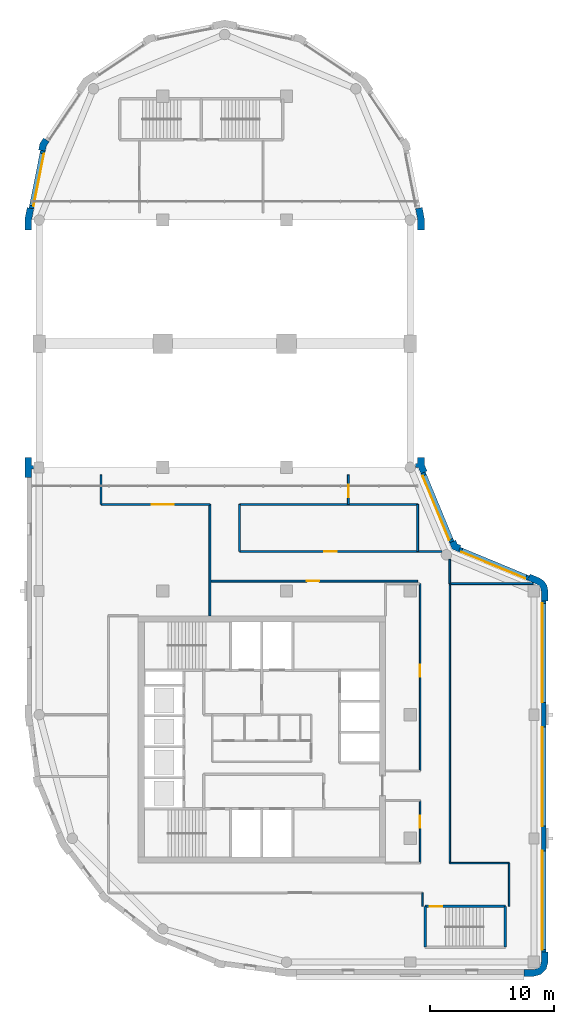
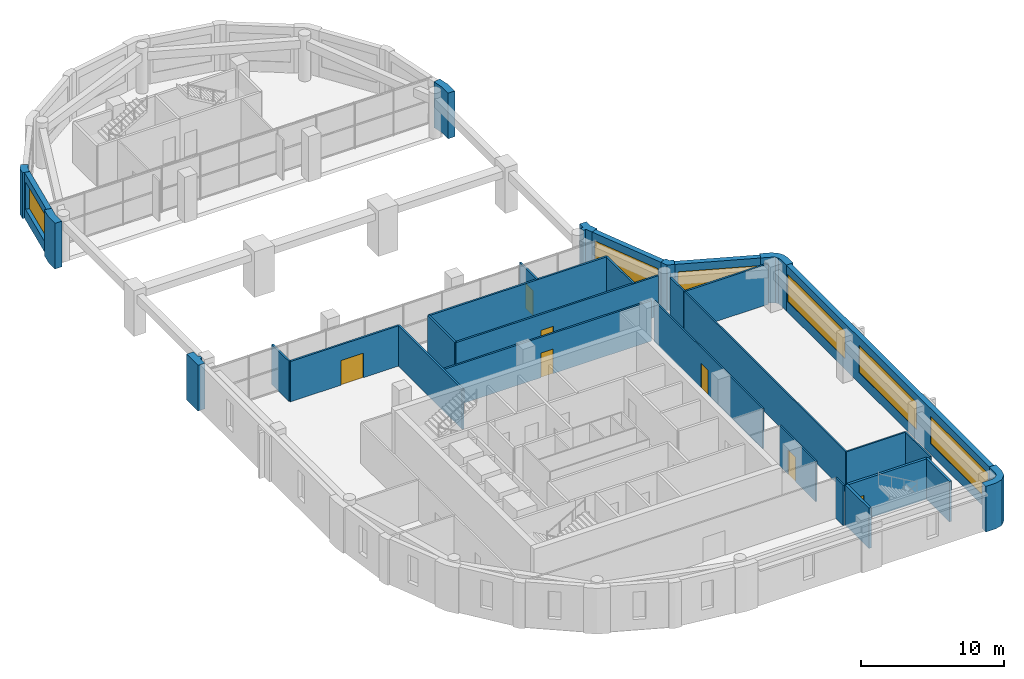
# One storey, part 7 of 11: 32 walls, 7 doors, 6 windows, 13 openings.
"""IFC4 building model written with IfcOpenShell, lengths in metres."""

from ifc_helpers import new_model, si_unit, direction, frame, frame_2d, origin, place, context, subcontext, project, spatial, polyline, rectangle, outline, extrude, material, layer, layer_set, type_object, element, fill, save


model = new_model("IFC4")

# Units and contexts
model_context = context("Model", 3, precision=1e-05, world=origin(), true_north=direction((0.0, 1.0)))
body_context = subcontext(model_context, "Body", "Model", "MODEL_VIEW")
ifc_project = project(units=[si_unit("LENGTHUNIT", "METRE"), si_unit("AREAUNIT", "SQUARE_METRE"), si_unit("VOLUMEUNIT", "CUBIC_METRE"), si_unit("PLANEANGLEUNIT", "RADIAN"), si_unit("MASSUNIT", "GRAM", prefix="KILO")], contexts=[model_context])

# Site, building, storey
site_placement = place(None, origin())
site = spatial("IfcSite", under=ifc_project, at=site_placement, CompositionType="ELEMENT")
building_placement = place(site_placement, origin())
building = spatial("IfcBuilding", under=site, at=building_placement, Name="Qaws Garden Tower", CompositionType="ELEMENT")
storey_placement = place(building_placement, frame((0.0, 0.0, 329.39990234375)))
storey = spatial("IfcBuildingStorey", under=building, at=storey_placement, Name="L80", CompositionType="ELEMENT", Elevation=329.39990234375)

# Walls
ifc_material_1 = material(Name="Clay facing brick masonry", Category="masonry")
ifc_layer_1 = layer(ifc_material_1, 0.550048828125)
ifc_layer_set_1 = layer_set([ifc_layer_1], Name="Clay facing brick masonry")
wall_type_1 = type_object("IfcWallType", Name="Brick corner pier 550 x 2400", PredefinedType="SOLIDWALL", material=ifc_layer_set_1)
placement = place(storey_placement, origin())
element("IfcWall", 1, at=placement, inside=storey, type_object=wall_type_1, Name="E-L80-pier-02", PredefinedType="SOLIDWALL", context=body_context, shape_type="SweptSolid", body=[
    extrude(outline(polyline([(39.199951171875, -1.0), (39.199951171875, -1.14990234375), (40.0, -1.14990234375), (40.574951171875, -0.995849609375), (40.995849609375, -0.574951171875), (41.14990234375, 0.0), (41.14990234375, 0.800048828125), (41.0, 0.800048828125), (40.60009765625, 0.800048828125), (40.60009765625, 0.0), (40.51953125, -0.300048828125), (40.300048828125, -0.51953125), (40.0, -0.60009765625), (39.199951171875, -0.60009765625), (39.199951171875, -1.0)])), origin(), (0.0, 0.0, 1.0), 3.900146484375),
])
element("IfcWall", 2, at=placement, inside=storey, type_object=wall_type_1, Name="E-L80-pier-05", PredefinedType="SOLIDWALL", context=body_context, shape_type="SweptSolid", body=[
    extrude(outline(polyline([(41.0, 29.199951171875), (41.14990234375, 29.199951171875), (41.14990234375, 30.0), (41.0625, 30.440185546875), (40.813232421875, 30.813232421875), (40.440185546875, 31.0625), (39.700927734375, 31.36865234375), (39.6435546875, 31.22998046875), (39.490478515625, 30.860595703125), (40.2294921875, 30.554443359375), (40.42431640625, 30.42431640625), (40.554443359375, 30.2294921875), (40.60009765625, 30.0), (40.60009765625, 29.199951171875), (41.0, 29.199951171875)])), origin(), (0.0, 0.0, 1.0), 3.900146484375),
])

# Wall, openings, windows
ifc_material_2 = material(Name="Clay facing brick masonry", Category="masonry")
ifc_layer_2 = layer(ifc_material_2, 0.39990234375)
ifc_layer_set_2 = layer_set([ifc_layer_2], Name="Clay facing brick masonry")
wall_type_2 = type_object("IfcWallType", Name="Brick infill wall 400", PredefinedType="SOLIDWALL", material=ifc_layer_set_2)
wall_3_placement = place(storey_placement, frame((40.800048828125, 0.800048828125, 0.0), z_axis=(0.0, 0.0, 1.0), x_axis=(0.0, 1.0, 0.0)))
wall_3 = element("IfcWall", 3, at=wall_3_placement, inside=storey, type_object=wall_type_2, Name="E-L80-infill-02", PredefinedType="SOLIDWALL", context=body_context, shape_type="SweptSolid", body=[
    extrude(rectangle(XDim=28.39990234375, YDim=0.39990234375, at=frame_2d((14.199951171875, 0.0))), origin(), (0.0, 0.0, 1.0), 3.900146484375),
])
opening_1_placement = place(wall_3_placement, frame((0.199951171875, 0.0, 0.89990234375)))
opening_1 = element("IfcOpeningElement", 4, at=opening_1_placement, cuts=wall_3, Name="Opening W01", PredefinedType="OPENING", context=body_context, shape_type="SweptSolid", body=[
    extrude(rectangle(XDim=8.0, YDim=2.35009765625, at=frame_2d((4.0, 1.175048828125))), frame((0.0, 0.2099609375, 0.0), z_axis=(0.0, -1.0, 0.0), x_axis=(1.0, 0.0, 0.0)), (0.0, 0.0, 1.0), 0.419921875),
])
opening_2_placement = place(wall_3_placement, frame((10.199951171875, 0.0, 0.89990234375)))
opening_2 = element("IfcOpeningElement", 5, at=opening_2_placement, cuts=wall_3, Name="Opening W01", PredefinedType="OPENING", context=body_context, shape_type="SweptSolid", body=[
    extrude(rectangle(XDim=8.0, YDim=2.35009765625, at=frame_2d((4.0, 1.175048828125))), frame((0.0, 0.2099609375, 0.0), z_axis=(0.0, -1.0, 0.0), x_axis=(1.0, 0.0, 0.0)), (0.0, 0.0, 1.0), 0.419921875),
])
opening_3_placement = place(wall_3_placement, frame((20.199951171875, 0.0, 0.89990234375)))
opening_3 = element("IfcOpeningElement", 6, at=opening_3_placement, cuts=wall_3, Name="Opening W01", PredefinedType="OPENING", context=body_context, shape_type="SweptSolid", body=[
    extrude(rectangle(XDim=8.0, YDim=2.35009765625, at=frame_2d((4.0, 1.175048828125))), frame((0.0, 0.2099609375, 0.0), z_axis=(0.0, -1.0, 0.0), x_axis=(1.0, 0.0, 0.0)), (0.0, 0.0, 1.0), 0.419921875),
])
ifc_material_3 = material(Name="Aluminium framed window, clear glazing", Category="aluminium")
window_type_1 = type_object("IfcWindowType", Name="Ribbon window 8000 x 2350", PartitioningType="DOUBLE_PANEL_VERTICAL", PredefinedType="WINDOW", material=ifc_material_3)
window_1_placement = place(opening_1_placement, origin())
window_1 = element("IfcWindow", 7, at=window_1_placement, inside=storey, type_object=window_type_1, Name="E-L80-window-02-0", OverallHeight=2.35009765625, OverallWidth=8.0, PartitioningType="SINGLE_PANEL", PredefinedType="WINDOW", context=body_context, shape_type="SweptSolid", body=[
    extrude(rectangle(XDim=8.0, YDim=2.35009765625, at=frame_2d((4.0, 1.175048828125))), frame((0.0, 0.159912109375, 0.0), z_axis=(0.0, -1.0, 0.0), x_axis=(1.0, 0.0, 0.0)), (0.0, 0.0, 1.0), 0.06005859375),
])
fill(opening_1, window_1)
window_2_placement = place(opening_2_placement, origin())
window_2 = element("IfcWindow", 8, at=window_2_placement, inside=storey, type_object=window_type_1, Name="E-L80-window-03-0", OverallHeight=2.35009765625, OverallWidth=8.0, PartitioningType="SINGLE_PANEL", PredefinedType="WINDOW", context=body_context, shape_type="SweptSolid", body=[
    extrude(rectangle(XDim=8.0, YDim=2.35009765625, at=frame_2d((4.0, 1.175048828125))), frame((0.0, 0.159912109375, 0.0), z_axis=(0.0, -1.0, 0.0), x_axis=(1.0, 0.0, 0.0)), (0.0, 0.0, 1.0), 0.06005859375),
])
fill(opening_2, window_2)
window_3_placement = place(opening_3_placement, origin())
window_3 = element("IfcWindow", 9, at=window_3_placement, inside=storey, type_object=window_type_1, Name="E-L80-window-04-0", OverallHeight=2.35009765625, OverallWidth=8.0, PartitioningType="SINGLE_PANEL", PredefinedType="WINDOW", context=body_context, shape_type="SweptSolid", body=[
    extrude(rectangle(XDim=8.0, YDim=2.35009765625, at=frame_2d((4.0, 1.175048828125))), frame((0.0, 0.159912109375, 0.0), z_axis=(0.0, -1.0, 0.0), x_axis=(1.0, 0.0, 0.0)), (0.0, 0.0, 1.0), 0.06005859375),
])
fill(opening_3, window_3)

# Wall, opening, window
wall_4_placement = place(storey_placement, frame((39.56689453125, 31.04541015625, 0.0), z_axis=(0.0, 0.0, 1.0), x_axis=(-0.923891000409, 0.382655745237, 0.0)))
wall_4 = element("IfcWall", 10, at=wall_4_placement, inside=storey, type_object=wall_type_2, Name="E-L80-infill-05", PredefinedType="SOLIDWALL", context=body_context, shape_type="SweptSolid", body=[
    extrude(rectangle(XDim=6.053466796875, YDim=0.39990234375, at=frame_2d((3.02685546875, 0.0))), origin(), (0.0, 0.0, 1.0), 3.900146484375),
])
opening_4_placement = place(wall_4_placement, frame((0.226806640625, 0.0, 0.89990234375)))
opening_4 = element("IfcOpeningElement", 11, at=opening_4_placement, cuts=wall_4, Name="Opening W04", PredefinedType="OPENING", context=body_context, shape_type="SweptSolid", body=[
    extrude(rectangle(XDim=5.60009765625, YDim=2.35009765625, at=frame_2d((2.800048828125, 1.175048828125))), frame((0.0, 0.2099609375, 0.0), z_axis=(0.0, -1.0, 0.0), x_axis=(1.0, 0.0, 0.0)), (0.0, 0.0, 1.0), 0.419921875),
])
ifc_material_4 = material(Name="Aluminium framed window, clear glazing", Category="aluminium")
window_type_2 = type_object("IfcWindowType", Name="Ribbon window 5600 x 2350", PartitioningType="DOUBLE_PANEL_VERTICAL", PredefinedType="WINDOW", material=ifc_material_4)
window_4_placement = place(opening_4_placement, origin())
window_4 = element("IfcWindow", 12, at=window_4_placement, inside=storey, type_object=window_type_2, Name="E-L80-window-05-0", OverallHeight=2.35009765625, OverallWidth=5.60009765625, PartitioningType="SINGLE_PANEL", PredefinedType="WINDOW", context=body_context, shape_type="SweptSolid", body=[
    extrude(rectangle(XDim=5.60009765625, YDim=2.35009765625, at=frame_2d((2.800048828125, 1.175048828125))), frame((0.0, 0.159912109375, 0.0), z_axis=(0.0, -1.0, 0.0), x_axis=(1.0, 0.0, 0.0)), (0.0, 0.0, 1.0), 0.06005859375),
])
fill(opening_4, window_4)

wall_5_placement = place(storey_placement, frame((33.36181640625, 33.97412109375, 0.0), z_axis=(0.0, 0.0, 1.0), x_axis=(-0.382655745237, 0.923891000409, 0.0)))
wall_5 = element("IfcWall", 13, at=wall_5_placement, inside=storey, type_object=wall_type_2, Name="E-L80-infill-06", PredefinedType="SOLIDWALL", context=body_context, shape_type="SweptSolid", body=[
    extrude(rectangle(XDim=6.053466796875, YDim=0.39990234375, at=frame_2d((3.02685546875, 0.0))), origin(), (0.0, 0.0, 1.0), 3.900146484375),
])
opening_5_placement = place(wall_5_placement, frame((0.226806640625, 0.0, 0.89990234375)))
opening_5 = element("IfcOpeningElement", 14, at=opening_5_placement, cuts=wall_5, Name="Opening W04", PredefinedType="OPENING", context=body_context, shape_type="SweptSolid", body=[
    extrude(rectangle(XDim=5.60009765625, YDim=2.35009765625, at=frame_2d((2.800048828125, 1.175048828125))), frame((0.0, 0.2099609375, 0.0), z_axis=(0.0, -1.0, 0.0), x_axis=(1.0, 0.0, 0.0)), (0.0, 0.0, 1.0), 0.419921875),
])
window_5_placement = place(opening_5_placement, origin())
window_5 = element("IfcWindow", 15, at=window_5_placement, inside=storey, type_object=window_type_2, Name="E-L80-window-06-0", OverallHeight=2.35009765625, OverallWidth=5.60009765625, PartitioningType="SINGLE_PANEL", PredefinedType="WINDOW", context=body_context, shape_type="SweptSolid", body=[
    extrude(rectangle(XDim=5.60009765625, YDim=2.35009765625, at=frame_2d((2.800048828125, 1.175048828125))), frame((0.0, 0.159912109375, 0.0), z_axis=(0.0, -1.0, 0.0), x_axis=(1.0, 0.0, 0.0)), (0.0, 0.0, 1.0), 0.06005859375),
])
fill(opening_5, window_5)

wall_6_placement = place(storey_placement, frame((0.298583984375, 65.60205078125, 0.0), z_axis=(0.0, 0.0, 1.0), x_axis=(-0.195098533057, -0.98078364709, 0.0)))
wall_6 = element("IfcWall", 16, at=wall_6_placement, inside=storey, type_object=wall_type_2, Name="E-L80-infill-16", PredefinedType="SOLIDWALL", context=body_context, shape_type="SweptSolid", body=[
    extrude(rectangle(XDim=4.752685546875, YDim=0.39990234375, at=frame_2d((2.37646484375, 0.0))), origin(), (0.0, 0.0, 1.0), 3.900146484375),
])
opening_6_placement = place(wall_6_placement, frame((0.226318359375, 0.0, 0.89990234375)))
opening_6 = element("IfcOpeningElement", 17, at=opening_6_placement, cuts=wall_6, Name="Opening W06", PredefinedType="OPENING", context=body_context, shape_type="SweptSolid", body=[
    extrude(rectangle(XDim=4.300048828125, YDim=2.35009765625, at=frame_2d((2.14990234375, 1.175048828125))), frame((0.0, 0.2099609375, 0.0), z_axis=(0.0, -1.0, 0.0), x_axis=(1.0, 0.0, 0.0)), (0.0, 0.0, 1.0), 0.419921875),
])
ifc_material_5 = material(Name="Aluminium framed window, clear glazing", Category="aluminium")
window_type_3 = type_object("IfcWindowType", Name="Ribbon window 4300 x 2350", PartitioningType="DOUBLE_PANEL_VERTICAL", PredefinedType="WINDOW", material=ifc_material_5)
window_6_placement = place(opening_6_placement, origin())
window_6 = element("IfcWindow", 18, at=window_6_placement, inside=storey, type_object=window_type_3, Name="E-L80-window-16-0", OverallHeight=2.35009765625, OverallWidth=4.300048828125, PartitioningType="SINGLE_PANEL", PredefinedType="WINDOW", context=body_context, shape_type="SweptSolid", body=[
    extrude(rectangle(XDim=4.300048828125, YDim=2.35009765625, at=frame_2d((2.14990234375, 1.175048828125))), frame((0.0, 0.159912109375, 0.0), z_axis=(0.0, -1.0, 0.0), x_axis=(1.0, 0.0, 0.0)), (0.0, 0.0, 1.0), 0.06005859375),
])
fill(opening_6, window_6)

# Walls
ifc_material_6 = material(Name="Clay facing brick masonry", Category="masonry")
ifc_layer_3 = layer(ifc_material_6, 0.550048828125)
ifc_layer_set_3 = layer_set([ifc_layer_3], Name="Clay facing brick masonry")
wall_type_3 = type_object("IfcWallType", Name="Brick kink pier 550 x 600", PredefinedType="SOLIDWALL", material=ifc_layer_set_3)
element("IfcWall", 19, at=placement, inside=storey, type_object=wall_type_3, Name="E-L80-pier-16", PredefinedType="SOLIDWALL", context=body_context, shape_type="SweptSolid", body=[
    extrude(outline(polyline([(0.47705078125, 66.545166015625), (0.352294921875, 66.628662109375), (0.05859375, 66.18896484375), (-0.044677734375, 65.67041015625), (0.1025390625, 65.64111328125), (0.494873046875, 65.56298828125), (0.57666015625, 65.974365234375), (0.8095703125, 66.322998046875), (0.47705078125, 66.545166015625)])), origin(), (0.0, 0.0, 1.0), 3.900146484375),
])
ifc_material_7 = material(Name="Clay facing brick masonry", Category="masonry")
ifc_layer_4 = layer(ifc_material_7, 0.550048828125)
ifc_layer_set_4 = layer_set([ifc_layer_4], Name="Clay facing brick masonry")
wall_type_4 = type_object("IfcWallType", Name="Brick pier 550 x 1600", PredefinedType="SOLIDWALL", material=ifc_layer_set_4)
element("IfcWall", 20, at=placement, inside=storey, type_object=wall_type_4, Name="E-L80-pier-06", PredefinedType="SOLIDWALL", context=body_context, shape_type="SweptSolid", body=[
    extrude(outline(polyline([(34.05078125, 33.546630859375), (34.108154296875, 33.685302734375), (33.80908203125, 33.80908203125), (33.685302734375, 34.108154296875), (33.546630859375, 34.05078125), (33.177001953125, 33.897705078125), (33.38818359375, 33.38818359375), (33.897705078125, 33.177001953125), (34.05078125, 33.546630859375)])), origin(), (0.0, 0.0, 1.0), 3.900146484375),
])
element("IfcWall", 21, at=placement, inside=storey, type_object=wall_type_4, Name="E-L80-pier-07", PredefinedType="SOLIDWALL", context=body_context, shape_type="SweptSolid", body=[
    extrude(outline(polyline([(30.6201171875, 39.995361328125), (30.6201171875, 40.071044921875), (30.860595703125, 39.490478515625), (31.22998046875, 39.6435546875), (31.36865234375, 39.700927734375), (31.14990234375, 40.228759765625), (31.14990234375, 40.800048828125), (31.0, 40.800048828125), (30.60009765625, 40.800048828125), (30.60009765625, 40.29541015625), (30.425048828125, 40.29541015625), (30.425048828125, 39.995361328125), (30.6201171875, 39.995361328125)])), origin(), (0.0, 0.0, 1.0), 3.900146484375),
])
element("IfcWall", 22, at=placement, inside=storey, type_object=wall_type_4, Name="E-L80-pier-09", PredefinedType="SOLIDWALL", context=body_context, shape_type="SweptSolid", body=[
    extrude(outline(polyline([(31.0, 59.199951171875), (31.14990234375, 59.199951171875), (31.14990234375, 60.11328125), (30.971923828125, 61.009033203125), (30.82470703125, 60.979736328125), (30.432373046875, 60.901611328125), (30.60009765625, 60.05908203125), (30.60009765625, 59.199951171875), (31.0, 59.199951171875)])), origin(), (0.0, 0.0, 1.0), 3.900146484375),
])
element("IfcWall", 23, at=placement, inside=storey, type_object=wall_type_4, Name="E-L80-pier-17", PredefinedType="SOLIDWALL", context=body_context, shape_type="SweptSolid", body=[
    extrude(outline(polyline([(-0.82470703125, 60.979736328125), (-0.971923828125, 61.009033203125), (-1.14990234375, 60.11328125), (-1.14990234375, 59.199951171875), (-1.0, 59.199951171875), (-0.60009765625, 59.199951171875), (-0.60009765625, 60.05908203125), (-0.432373046875, 60.901611328125), (-0.82470703125, 60.979736328125)])), origin(), (0.0, 0.0, 1.0), 3.900146484375),
])
element("IfcWall", 24, at=placement, inside=storey, type_object=wall_type_4, Name="E-L80-pier-19", PredefinedType="SOLIDWALL", context=body_context, shape_type="SweptSolid", body=[
    extrude(outline(polyline([(-0.60009765625, 39.199951171875), (-0.60009765625, 39.85009765625), (-0.449951171875, 39.85009765625), (-0.449951171875, 40.14990234375), (-0.60009765625, 40.14990234375), (-0.60009765625, 40.800048828125), (-1.0, 40.800048828125), (-1.14990234375, 40.800048828125), (-1.14990234375, 40.0), (-1.14990234375, 39.199951171875), (-1.0, 39.199951171875), (-0.60009765625, 39.199951171875)])), origin(), (0.0, 0.0, 1.0), 3.900146484375),
])

# Wall, opening, door
ifc_material_8 = material(Name="Concrete C60", Category="concrete")
ifc_layer_5 = layer(ifc_material_8, 0.199951171875)
ifc_layer_set_5 = layer_set([ifc_layer_5], Name="Concrete C60")
wall_type_5 = type_object("IfcWallType", Name="Core shaft wall 200 C60", PredefinedType="SHEAR", material=ifc_layer_set_5)
wall_13_placement = place(storey_placement, frame((31.199951171875, 4.5, 0.0), z_axis=(0.0, 0.0, 1.0), x_axis=(1.0, 0.0, 0.0)))
wall_13 = element("IfcWall", 25, at=wall_13_placement, inside=storey, type_object=wall_type_5, Name="Shaft wall", PredefinedType="SHEAR", context=body_context, shape_type="SweptSolid", body=[
    extrude(rectangle(XDim=6.5, YDim=0.199951171875, at=frame_2d((3.25, 0.0))), origin(), (0.0, 0.0, 1.0), 3.4501953125),
])
opening_7_placement = place(wall_13_placement, frame((0.375, 0.0, 0.0)))
opening_7 = element("IfcOpeningElement", 26, at=opening_7_placement, cuts=wall_13, Name="Opening SD12", PredefinedType="OPENING", context=body_context, shape_type="SweptSolid", body=[
    extrude(rectangle(XDim=1.0, YDim=2.10009765625, at=frame_2d((0.5, 1.050048828125))), frame((0.0, 0.10986328125, 0.0), z_axis=(0.0, -1.0, 0.0), x_axis=(1.0, 0.0, 0.0)), (0.0, 0.0, 1.0), 0.219970703125),
])
ifc_material_9 = material(Name="Steel S235", Category="steel")
door_type_1 = type_object("IfcDoorType", Name="Stair door 1000x2100", OperationType="SINGLE_SWING_RIGHT", PredefinedType="DOOR", material=ifc_material_9)
door_1_placement = place(opening_7_placement, frame((1.0, 0.0, 0.0), z_axis=(0.0, 0.0, 1.0), x_axis=(-1.0, 0.0, 0.0)))
door_1 = element("IfcDoor", 27, at=door_1_placement, inside=storey, type_object=door_type_1, Name="Stair 5 door", OperationType="SINGLE_SWING_RIGHT", OverallHeight=2.10009765625, OverallWidth=1.0, PredefinedType="DOOR", context=body_context, shape_type="SweptSolid", body=[
    extrude(rectangle(XDim=1.0, YDim=2.10009765625, at=frame_2d((0.5, 1.050048828125))), frame((0.0, 0.02490234375, 0.0), z_axis=(0.0, -1.0, 0.0), x_axis=(1.0, 0.0, 0.0)), (0.0, 0.0, 1.0), 0.050048828125),
])
fill(opening_7, door_1)

# Walls
for number, where, z_axis, x_axis, name in (
    (28, (31.199951171875, 1.199951171875, 0.0), (0.0, 0.0, 1.0), (0.0, 1.0, 0.0), "Shaft wall"),
    (29, (37.699951171875, 1.199951171875, 0.0), (0.0, 0.0, 1.0), (0.0, 1.0, 0.0), "Shaft wall"),
):
    element("IfcWall", number, at=place(storey_placement, frame(where, z_axis=z_axis, x_axis=x_axis)), inside=storey, type_object=wall_type_5, Name=name, PredefinedType="SHEAR", context=body_context, shape_type="SweptSolid", body=[
        extrude(rectangle(XDim=3.300048828125, YDim=0.199951171875, at=frame_2d((1.64990234375, 0.0))), origin(), (0.0, 0.0, 1.0), 3.4501953125),
    ])

# Wall, opening, door
ifc_material_10 = material(Name="Glass and aluminium framing", Category="aluminium")
ifc_layer_6 = layer(ifc_material_10, 0.1201171875)
ifc_layer_set_6 = layer_set([ifc_layer_6], Name="Glass and aluminium framing")
wall_type_6 = type_object("IfcWallType", Name="GLAZED PARTITION 120 EI 30", PredefinedType="PARTITIONING", material=ifc_layer_set_6)
wall_14_placement = place(storey_placement, frame((30.800048828125, 8.0, 0.0), z_axis=(0.0, 0.0, 1.0), x_axis=(0.0, 1.0, 0.0)))
wall_14 = element("IfcWall", 30, at=wall_14_placement, inside=storey, type_object=wall_type_6, Name="O-L80-wall-022", PredefinedType="PARTITIONING", context=body_context, shape_type="SweptSolid", body=[
    extrude(rectangle(XDim=5.050048828125, YDim=0.1201171875, at=frame_2d((2.52490234375, 0.0))), origin(), (0.0, 0.0, 1.0), 3.4501953125),
])
opening_8_placement = place(wall_14_placement, frame((2.85009765625, 0.0, 0.0)))
opening_8 = element("IfcOpeningElement", 31, at=opening_8_placement, cuts=wall_14, Name="Opening C8B05", PredefinedType="OPENING", context=body_context, shape_type="SweptSolid", body=[
    extrude(rectangle(XDim=1.0, YDim=2.10009765625, at=frame_2d((0.5, 1.050048828125))), frame((0.0, 0.070068359375, 0.0), z_axis=(0.0, -1.0, 0.0), x_axis=(1.0, 0.0, 0.0)), (0.0, 0.0, 1.0), 0.14013671875),
])
ifc_material_11 = material(Name="Timber door leaf", Category="wood")
door_type_2 = type_object("IfcDoorType", Name="TENANCY ENTRANCE DOOR 1000 X 2100", OperationType="SINGLE_SWING_LEFT", PredefinedType="DOOR", material=ifc_material_11)
door_2_placement = place(opening_8_placement, origin())
door_2 = element("IfcDoor", 32, at=door_2_placement, inside=storey, type_object=door_type_2, Name="O-L80-door-005", OperationType="SINGLE_SWING_RIGHT", OverallHeight=2.10009765625, OverallWidth=1.0, PredefinedType="DOOR", context=body_context, shape_type="SweptSolid", body=[
    extrude(rectangle(XDim=1.0, YDim=2.10009765625, at=frame_2d((0.5, 1.050048828125))), frame((0.0, 0.02490234375, 0.0), z_axis=(0.0, -1.0, 0.0), x_axis=(1.0, 0.0, 0.0)), (0.0, 0.0, 1.0), 0.050048828125),
])
fill(opening_8, door_2)

wall_15_placement = place(storey_placement, frame((30.800048828125, 15.449951171875, 0.0), z_axis=(0.0, 0.0, 1.0), x_axis=(0.0, 1.0, 0.0)))
wall_15 = element("IfcWall", 33, at=wall_15_placement, inside=storey, type_object=wall_type_6, Name="O-L80-wall-023", PredefinedType="PARTITIONING", context=body_context, shape_type="SweptSolid", body=[
    extrude(rectangle(XDim=15.150146484375, YDim=0.1201171875, at=frame_2d((7.5751953125, 0.0))), origin(), (0.0, 0.0, 1.0), 3.4501953125),
])
opening_9_placement = place(wall_15_placement, frame((7.60009765625, 0.0, 0.0)))
opening_9 = element("IfcOpeningElement", 34, at=opening_9_placement, cuts=wall_15, Name="Opening C8B04", PredefinedType="OPENING", context=body_context, shape_type="SweptSolid", body=[
    extrude(rectangle(XDim=1.0, YDim=2.10009765625, at=frame_2d((0.5, 1.050048828125))), frame((0.0, 0.070068359375, 0.0), z_axis=(0.0, -1.0, 0.0), x_axis=(1.0, 0.0, 0.0)), (0.0, 0.0, 1.0), 0.14013671875),
])
door_3_placement = place(opening_9_placement, origin())
door_3 = element("IfcDoor", 35, at=door_3_placement, inside=storey, type_object=door_type_2, Name="O-L80-door-004", OperationType="SINGLE_SWING_RIGHT", OverallHeight=2.10009765625, OverallWidth=1.0, PredefinedType="DOOR", context=body_context, shape_type="SweptSolid", body=[
    extrude(rectangle(XDim=1.0, YDim=2.10009765625, at=frame_2d((0.5, 1.050048828125))), frame((0.0, 0.02490234375, 0.0), z_axis=(0.0, -1.0, 0.0), x_axis=(1.0, 0.0, 0.0)), (0.0, 0.0, 1.0), 0.050048828125),
])
fill(opening_9, door_3)

# Walls
wall_16_placement = place(storey_placement, frame((31.0, 4.5, 0.0), z_axis=(0.0, 0.0, 1.0), x_axis=(0.0, 1.0, 0.0)))
element("IfcWall", 36, at=wall_16_placement, inside=storey, type_object=wall_type_6, Name="O-L80-wall-024", PredefinedType="PARTITIONING", context=body_context, shape_type="SweptSolid", body=[
    extrude(rectangle(XDim=1.10009765625, YDim=0.1201171875, at=frame_2d((0.550048828125, 0.0))), origin(), (0.0, 0.0, 1.0), 3.4501953125),
])
wall_17_placement = place(storey_placement, frame((33.199951171875, 8.0, 0.0), z_axis=(0.0, 0.0, 1.0), x_axis=(0.0, 1.0, 0.0)))
element("IfcWall", 37, at=wall_17_placement, inside=storey, type_object=wall_type_6, Name="O-L80-wall-025", PredefinedType="PARTITIONING", context=body_context, shape_type="SweptSolid", body=[
    extrude(rectangle(XDim=22.60009765625, YDim=0.1201171875, at=frame_2d((11.300048828125, 0.0))), origin(), (0.0, 0.0, 1.0), 3.4501953125),
])
wall_18_placement = place(storey_placement, frame((38.0, 4.5, 0.0), z_axis=(0.0, 0.0, 1.0), x_axis=(0.0, 1.0, 0.0)))
element("IfcWall", 38, at=wall_18_placement, inside=storey, type_object=wall_type_6, Name="O-L80-wall-026", PredefinedType="PARTITIONING", context=body_context, shape_type="SweptSolid", body=[
    extrude(rectangle(XDim=3.5, YDim=0.1201171875, at=frame_2d((1.75, 0.0))), origin(), (0.0, 0.0, 1.0), 3.4501953125),
])
wall_19_placement = place(storey_placement, frame((33.199951171875, 8.0, 0.0), z_axis=(0.0, 0.0, 1.0), x_axis=(1.0, 0.0, 0.0)))
element("IfcWall", 39, at=wall_19_placement, inside=storey, type_object=wall_type_6, Name="O-L80-wall-029", PredefinedType="PARTITIONING", context=body_context, shape_type="SweptSolid", body=[
    extrude(rectangle(XDim=4.800048828125, YDim=0.1201171875, at=frame_2d((2.39990234375, 0.0))), origin(), (0.0, 0.0, 1.0), 3.4501953125),
])
ifc_material_12 = material(Name="Gypsum board partition")
ifc_layer_7 = layer(ifc_material_12, 0.14990234375)
ifc_layer_set_7 = layer_set([ifc_layer_7], Name="Gypsum board partition")
wall_type_7 = type_object("IfcWallType", Name="PARTITION 150 EI 60", PredefinedType="PARTITIONING", material=ifc_layer_set_7)
wall_20_placement = place(storey_placement, frame((5.0, 37.0, 0.0), z_axis=(0.0, 0.0, 1.0), x_axis=(0.0, 1.0, 0.0)))
element("IfcWall", 40, at=wall_20_placement, inside=storey, type_object=wall_type_7, Name="O-L80-wall-001", PredefinedType="PARTITIONING", context=body_context, shape_type="SweptSolid", body=[
    extrude(rectangle(XDim=2.39990234375, YDim=0.14990234375, at=frame_2d((1.199951171875, 0.0))), origin(), (0.0, 0.0, 1.0), 3.4501953125),
])
wall_21_placement = place(storey_placement, frame((13.800048828125, 28.0, 0.0), z_axis=(0.0, 0.0, 1.0), x_axis=(0.0, 1.0, 0.0)))
element("IfcWall", 41, at=wall_21_placement, inside=storey, type_object=wall_type_7, Name="O-L80-wall-004", PredefinedType="PARTITIONING", context=body_context, shape_type="SweptSolid", body=[
    extrude(rectangle(XDim=9.0, YDim=0.14990234375, at=frame_2d((4.5, 0.0))), origin(), (0.0, 0.0, 1.0), 3.4501953125),
])
wall_22_placement = place(storey_placement, frame((16.199951171875, 33.199951171875, 0.0), z_axis=(0.0, 0.0, 1.0), x_axis=(0.0, 1.0, 0.0)))
element("IfcWall", 42, at=wall_22_placement, inside=storey, type_object=wall_type_7, Name="O-L80-wall-005", PredefinedType="PARTITIONING", context=body_context, shape_type="SweptSolid", body=[
    extrude(rectangle(XDim=3.800048828125, YDim=0.14990234375, at=frame_2d((1.89990234375, 0.0))), origin(), (0.0, 0.0, 1.0), 3.4501953125),
])

# Wall, opening, door
wall_23_placement = place(storey_placement, frame((25.0, 37.0, 0.0), z_axis=(0.0, 0.0, 1.0), x_axis=(0.0, 1.0, 0.0)))
wall_23 = element("IfcWall", 43, at=wall_23_placement, inside=storey, type_object=wall_type_7, Name="O-L80-wall-006", PredefinedType="PARTITIONING", context=body_context, shape_type="SweptSolid", body=[
    extrude(rectangle(XDim=2.39990234375, YDim=0.14990234375, at=frame_2d((1.199951171875, 0.0))), origin(), (0.0, 0.0, 1.0), 3.4501953125),
])
opening_10_placement = place(wall_23_placement, frame((0.60009765625, 0.0, 0.0)))
opening_10 = element("IfcOpeningElement", 44, at=opening_10_placement, cuts=wall_23, Name="Opening C8B09", PredefinedType="OPENING", context=body_context, shape_type="SweptSolid", body=[
    extrude(rectangle(XDim=1.0, YDim=2.10009765625, at=frame_2d((0.5, 1.050048828125))), frame((0.0, 0.0849609375, 0.0), z_axis=(0.0, -1.0, 0.0), x_axis=(1.0, 0.0, 0.0)), (0.0, 0.0, 1.0), 0.169921875),
])
door_4_placement = place(opening_10_placement, frame((1.0, 0.0, 0.0), z_axis=(0.0, 0.0, 1.0), x_axis=(-1.0, 0.0, 0.0)))
door_4 = element("IfcDoor", 45, at=door_4_placement, inside=storey, type_object=door_type_2, Name="O-L80-door-009", OperationType="SINGLE_SWING_RIGHT", OverallHeight=2.10009765625, OverallWidth=1.0, PredefinedType="DOOR", context=body_context, shape_type="SweptSolid", body=[
    extrude(rectangle(XDim=1.0, YDim=2.10009765625, at=frame_2d((0.5, 1.050048828125))), frame((0.0, 0.02490234375, 0.0), z_axis=(0.0, -1.0, 0.0), x_axis=(1.0, 0.0, 0.0)), (0.0, 0.0, 1.0), 0.050048828125),
])
fill(opening_10, door_4)

# Walls
wall_24_placement = place(storey_placement, frame((30.60009765625, 33.199951171875, 0.0), z_axis=(0.0, 0.0, 1.0), x_axis=(0.0, 1.0, 0.0)))
element("IfcWall", 46, at=wall_24_placement, inside=storey, type_object=wall_type_7, Name="O-L80-wall-008", PredefinedType="PARTITIONING", context=body_context, shape_type="SweptSolid", body=[
    extrude(rectangle(XDim=3.800048828125, YDim=0.14990234375, at=frame_2d((1.89990234375, 0.0))), origin(), (0.0, 0.0, 1.0), 3.4501953125),
])
wall_25_placement = place(storey_placement, frame((33.199951171875, 30.60009765625, 0.0), z_axis=(0.0, 0.0, 1.0), x_axis=(0.0, 1.0, 0.0)))
element("IfcWall", 47, at=wall_25_placement, inside=storey, type_object=wall_type_7, Name="O-L80-wall-009", PredefinedType="PARTITIONING", context=body_context, shape_type="SweptSolid", body=[
    extrude(rectangle(XDim=1.951904296875, YDim=0.14990234375, at=frame_2d((0.97607421875, 0.0))), origin(), (0.0, 0.0, 1.0), 3.4501953125),
])
wall_26_placement = place(storey_placement, frame((33.199951171875, 30.60009765625, 0.0), z_axis=(0.0, 0.0, 1.0), x_axis=(1.0, 0.0, 0.0)))
element("IfcWall", 48, at=wall_26_placement, inside=storey, type_object=wall_type_7, Name="O-L80-wall-014", PredefinedType="PARTITIONING", context=body_context, shape_type="SweptSolid", body=[
    extrude(rectangle(XDim=6.73828125, YDim=0.14990234375, at=frame_2d((3.369140625, 0.0))), origin(), (0.0, 0.0, 1.0), 3.4501953125),
])

# Wall, opening, door
wall_27_placement = place(storey_placement, frame((13.802001953125, 30.800048828125, 0.0), z_axis=(0.0, 0.0, 1.0), x_axis=(1.0, 0.0, 0.0)))
wall_27 = element("IfcWall", 49, at=wall_27_placement, inside=storey, type_object=wall_type_7, Name="O-L80-wall-015", PredefinedType="PARTITIONING", context=body_context, shape_type="SweptSolid", body=[
    extrude(rectangle(XDim=16.798095703125, YDim=0.14990234375, at=frame_2d((8.39892578125, 0.0))), origin(), (0.0, 0.0, 1.0), 3.4501953125),
])
opening_11_placement = place(wall_27_placement, frame((7.85009765625, 0.0, 0.0)))
opening_11 = element("IfcOpeningElement", 50, at=opening_11_placement, cuts=wall_27, Name="Opening C8B10", PredefinedType="OPENING", context=body_context, shape_type="SweptSolid", body=[
    extrude(rectangle(XDim=1.0, YDim=2.10009765625, at=frame_2d((0.5, 1.050048828125))), frame((0.0, 0.0849609375, 0.0), z_axis=(0.0, -1.0, 0.0), x_axis=(1.0, 0.0, 0.0)), (0.0, 0.0, 1.0), 0.169921875),
])
door_5_placement = place(opening_11_placement, frame((1.0, 0.0, 0.0), z_axis=(0.0, 0.0, 1.0), x_axis=(-1.0, 0.0, 0.0)))
door_5 = element("IfcDoor", 51, at=door_5_placement, inside=storey, type_object=door_type_2, Name="O-L80-door-010", OperationType="SINGLE_SWING_LEFT", OverallHeight=2.10009765625, OverallWidth=1.0, PredefinedType="DOOR", context=body_context, shape_type="SweptSolid", body=[
    extrude(rectangle(XDim=1.0, YDim=2.10009765625, at=frame_2d((0.5, 1.050048828125))), frame((0.0, 0.02490234375, 0.0), z_axis=(0.0, -1.0, 0.0), x_axis=(1.0, 0.0, 0.0)), (0.0, 0.0, 1.0), 0.050048828125),
])
fill(opening_11, door_5)

wall_28_placement = place(storey_placement, frame((16.199951171875, 33.199951171875, 0.0), z_axis=(0.0, 0.0, 1.0), x_axis=(1.0, 0.0, 0.0)))
wall_28 = element("IfcWall", 52, at=wall_28_placement, inside=storey, type_object=wall_type_7, Name="O-L80-wall-016", PredefinedType="PARTITIONING", context=body_context, shape_type="SweptSolid", body=[
    extrude(rectangle(XDim=16.35205078125, YDim=0.14990234375, at=frame_2d((8.176025390625, 0.0))), origin(), (0.0, 0.0, 1.0), 3.4501953125),
])
opening_12_placement = place(wall_28_placement, frame((6.85009765625, 0.0, 0.0)))
opening_12 = element("IfcOpeningElement", 53, at=opening_12_placement, cuts=wall_28, Name="Opening C8B07", PredefinedType="OPENING", context=body_context, shape_type="SweptSolid", body=[
    extrude(rectangle(XDim=1.0, YDim=2.10009765625, at=frame_2d((0.5, 1.050048828125))), frame((0.0, 0.0849609375, 0.0), z_axis=(0.0, -1.0, 0.0), x_axis=(1.0, 0.0, 0.0)), (0.0, 0.0, 1.0), 0.169921875),
])
door_6_placement = place(opening_12_placement, origin())
door_6 = element("IfcDoor", 54, at=door_6_placement, inside=storey, type_object=door_type_2, Name="O-L80-door-007", OperationType="SINGLE_SWING_RIGHT", OverallHeight=2.10009765625, OverallWidth=1.0, PredefinedType="DOOR", context=body_context, shape_type="SweptSolid", body=[
    extrude(rectangle(XDim=1.0, YDim=2.10009765625, at=frame_2d((0.5, 1.050048828125))), frame((0.0, 0.02490234375, 0.0), z_axis=(0.0, -1.0, 0.0), x_axis=(1.0, 0.0, 0.0)), (0.0, 0.0, 1.0), 0.050048828125),
])
fill(opening_12, door_6)

wall_29_placement = place(storey_placement, frame((5.0, 37.0, 0.0), z_axis=(0.0, 0.0, 1.0), x_axis=(1.0, 0.0, 0.0)))
wall_29 = element("IfcWall", 55, at=wall_29_placement, inside=storey, type_object=wall_type_7, Name="O-L80-wall-017", PredefinedType="PARTITIONING", context=body_context, shape_type="SweptSolid", body=[
    extrude(rectangle(XDim=8.800048828125, YDim=0.14990234375, at=frame_2d((4.39990234375, 0.0))), origin(), (0.0, 0.0, 1.0), 3.4501953125),
])
opening_13_placement = place(wall_29_placement, frame((4.10009765625, 0.0, 0.0)))
opening_13 = element("IfcOpeningElement", 56, at=opening_13_placement, cuts=wall_29, Name="Opening C8B06", PredefinedType="OPENING", context=body_context, shape_type="SweptSolid", body=[
    extrude(rectangle(XDim=1.800048828125, YDim=2.10009765625, at=frame_2d((0.89990234375, 1.050048828125))), frame((0.0, 0.0849609375, 0.0), z_axis=(0.0, -1.0, 0.0), x_axis=(1.0, 0.0, 0.0)), (0.0, 0.0, 1.0), 0.169921875),
])
ifc_material_13 = material(Name="Timber door leaf", Category="wood")
door_type_3 = type_object("IfcDoorType", Name="DOUBLE DOOR 1800 X 2100", OperationType="DOUBLE_DOOR_SINGLE_SWING", PredefinedType="DOOR", material=ifc_material_13)
door_7_placement = place(opening_13_placement, frame((1.800048828125, 0.0, 0.0), z_axis=(0.0, 0.0, 1.0), x_axis=(-1.0, 0.0, 0.0)))
door_7 = element("IfcDoor", 57, at=door_7_placement, inside=storey, type_object=door_type_3, Name="O-L80-door-006", OperationType="DOUBLE_DOOR_SINGLE_SWING", OverallHeight=2.10009765625, OverallWidth=1.800048828125, PredefinedType="DOOR", context=body_context, shape_type="SweptSolid", body=[
    extrude(rectangle(XDim=1.800048828125, YDim=2.10009765625, at=frame_2d((0.89990234375, 1.050048828125))), frame((0.0, 0.02490234375, 0.0), z_axis=(0.0, -1.0, 0.0), x_axis=(1.0, 0.0, 0.0)), (0.0, 0.0, 1.0), 0.050048828125),
])
fill(opening_13, door_7)

# Wall
wall_30_placement = place(storey_placement, frame((16.199951171875, 37.0, 0.0), z_axis=(0.0, 0.0, 1.0), x_axis=(1.0, 0.0, 0.0)))
element("IfcWall", 58, at=wall_30_placement, inside=storey, type_object=wall_type_7, Name="O-L80-wall-018", PredefinedType="PARTITIONING", context=body_context, shape_type="SweptSolid", body=[
    extrude(rectangle(XDim=14.400146484375, YDim=0.14990234375, at=frame_2d((7.2001953125, 0.0))), origin(), (0.0, 0.0, 1.0), 3.4501953125),
])

save(model, "model.ifc")
